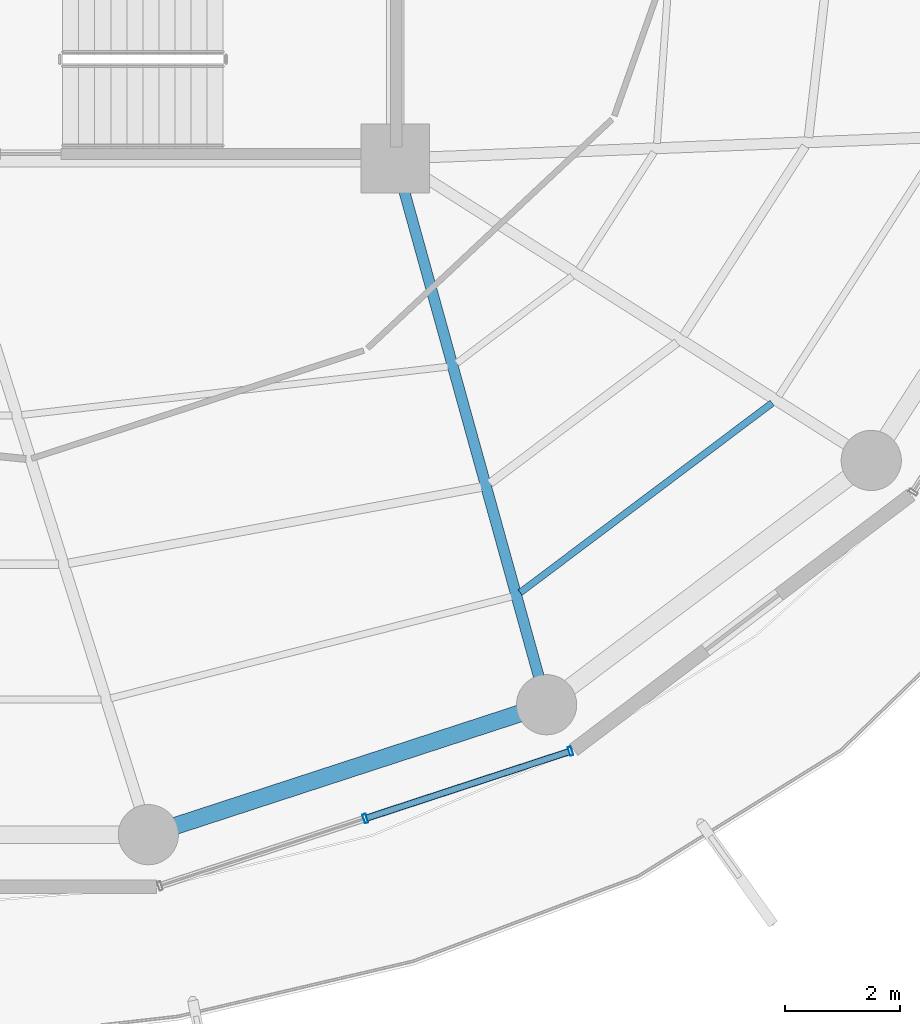
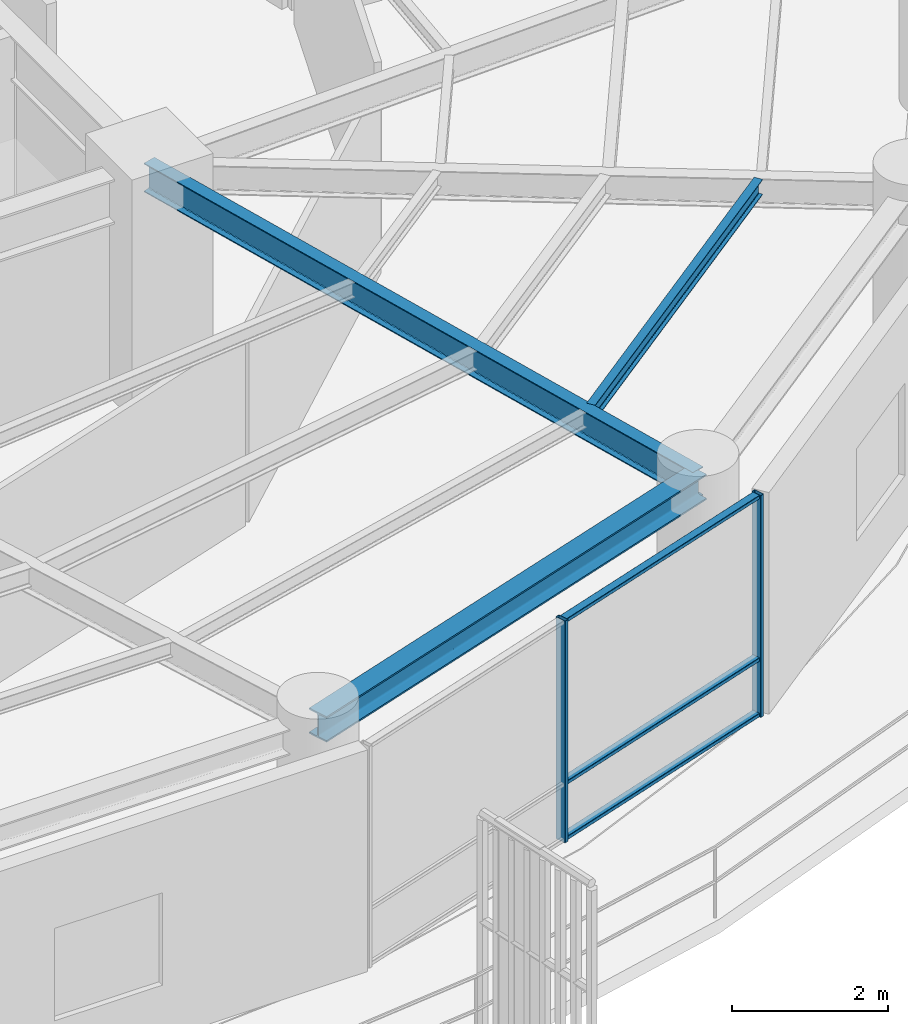
# One storey, part 10 of 31: 5 members, 3 beams, 1 element without a shape of its own.
"""IFC4 building model written with IfcOpenShell, lengths in metres."""

from ifc_helpers import new_model, si_unit, direction, frame, origin, origin_2d, place, context, subcontext, project, spatial, hollow_rectangle, i_section, extrude, material, layer, layer_set, material_profile, profile_set, type_object, element, aggregate, save


model = new_model("IFC4")

# Units and contexts
model_context = context("Model", 3, precision=1e-05, world=origin(), true_north=direction((0.0, 1.0)))
body_context = subcontext(model_context, "Body", "Model", "MODEL_VIEW")
ifc_project = project(units=[si_unit("LENGTHUNIT", "METRE"), si_unit("AREAUNIT", "SQUARE_METRE"), si_unit("VOLUMEUNIT", "CUBIC_METRE"), si_unit("PLANEANGLEUNIT", "RADIAN"), si_unit("MASSUNIT", "GRAM", prefix="KILO")], contexts=[model_context])

# Site, building, storey
site_placement = place(None, origin())
site = spatial("IfcSite", under=ifc_project, at=site_placement, CompositionType="ELEMENT")
building_placement = place(site_placement, origin())
building = spatial("IfcBuilding", under=site, at=building_placement, Name="Kelanora Arch Commons", CompositionType="ELEMENT")
storey_placement = place(building_placement, frame((0.0, 0.0, 193.199951171875)))
storey = spatial("IfcBuildingStorey", under=building, at=storey_placement, Name="L49", CompositionType="ELEMENT", Elevation=193.199951171875)

# Beams
ifc_material_1 = material(Name="Steel S355", Category="steel")
ifc_material_profile_1 = material_profile(ifc_material_1, i_section(OverallWidth=0.1201171875, OverallDepth=0.239990234375, WebThickness=0.006103515625, FlangeThickness=0.009765625, FilletRadius=0.014892578125, at=origin_2d()), Name="IPE240")
ifc_profile_set_1 = profile_set([ifc_material_profile_1], Name="Steel S355")
beam_type_1 = type_object("IfcBeamType", Name="BM-JST-02", PredefinedType="JOIST", material=ifc_profile_set_1)
beam_1_placement = place(storey_placement, frame((84.179931640625, 43.43212890625, 3.3701171875), z_axis=(0.799109197935, 0.601185902842, 0.0), x_axis=(-0.601185902842, 0.799109197935, 0.0)))
element("IfcBeam", 1, at=beam_1_placement, inside=storey, type_object=beam_type_1, Name="Secondary Chord Joist BJC-30 L49", PredefinedType="JOIST", context=body_context, shape_type="SweptSolid", body=[
    extrude(i_section(OverallWidth=0.1201171875, OverallDepth=0.239990234375, WebThickness=0.006103515625, FlangeThickness=0.009765625, FilletRadius=0.014892578125, at=origin_2d()), origin(), (0.0, 0.0, 1.0), 5.497802734375),
])
ifc_material_profile_2 = material_profile(ifc_material_1, i_section(OverallWidth=0.18994140625, OverallDepth=0.449951171875, WebThickness=0.009521484375, FlangeThickness=0.0146484375, FilletRadius=0.02099609375, at=origin_2d()), Name="IPE450")
ifc_profile_set_2 = profile_set([ifc_material_profile_2], Name="Steel S355")
beam_type_2 = type_object("IfcBeamType", Name="BM-RAD-Z4", PredefinedType="BEAM", material=ifc_profile_set_2)
beam_2_placement = place(storey_placement, frame((82.0, 51.0, 3.26513671875), z_axis=(0.267120164296, -0.963663228429, 0.0), x_axis=(0.963663228429, 0.267120164296, 0.0)))
element("IfcBeam", 2, at=beam_2_placement, inside=storey, type_object=beam_type_2, Name="Radial Floor Girder BR-30 L49", PredefinedType="BEAM", context=body_context, shape_type="SweptSolid", body=[
    extrude(i_section(OverallWidth=0.18994140625, OverallDepth=0.449951171875, WebThickness=0.009521484375, FlangeThickness=0.0146484375, FilletRadius=0.02099609375, at=origin_2d()), origin(), (0.0, 0.0, 1.0), 9.8828125),
])
ifc_material_profile_3 = material_profile(ifc_material_1, i_section(OverallWidth=0.300048828125, OverallDepth=0.39990234375, WebThickness=0.013427734375, FlangeThickness=0.02392578125, FilletRadius=0.027099609375, at=origin_2d()), Name="HEB400")
ifc_profile_set_3 = profile_set([ifc_material_profile_3], Name="Steel S355")
beam_type_3 = type_object("IfcBeamType", Name="BM-SPN-Z4", PredefinedType="SPANDREL", material=ifc_profile_set_3)
beam_3_placement = place(storey_placement, frame((77.6953125, 39.2099609375, 3.2900390625), z_axis=(0.950656361143, 0.310245842872, 0.0), x_axis=(-0.310245842872, 0.950656361143, 0.0)))
element("IfcBeam", 3, at=beam_3_placement, inside=storey, type_object=beam_type_3, Name="Perimeter Spandrel Beam BS-28 L49", PredefinedType="SPANDREL", context=body_context, shape_type="SweptSolid", body=[
    extrude(i_section(OverallWidth=0.300048828125, OverallDepth=0.39990234375, WebThickness=0.013427734375, FlangeThickness=0.02392578125, FilletRadius=0.027099609375, at=origin_2d()), origin(), (0.0, 0.0, 1.0), 7.304931640625),
])

# Curtain wall, members
ifc_material_2 = material(Name="Terracotta ceramic-fritted low-E glass and aluminium", Category="masonry")
ifc_layer = layer(ifc_material_2, 0.175048828125)
ifc_layer_set = layer_set([ifc_layer], Name="Terracotta ceramic-fritted low-E glass and aluminium")
curtain_wall_type = type_object("IfcCurtainWallType", Name="CW-SYS-02", PredefinedType="NOTDEFINED", material=ifc_layer_set)
curtain_wall_placement = place(storey_placement, origin())
curtain_wall = element("IfcCurtainWall", 4, at=curtain_wall_placement, inside=storey, type_object=curtain_wall_type, Name="Unitised Curtain Wall L49-B14", PredefinedType="NOTDEFINED")
ifc_material_3 = material(Name="Powder-coated aluminium terracotta", Category="masonry")
ifc_material_profile_4 = material_profile(ifc_material_3, hollow_rectangle(XDim=0.159912109375, YDim=0.06005859375, WallThickness=0.0048828125, InnerFilletRadius=0.0048828125, OuterFilletRadius=0.010009765625, at=origin_2d()), Name="CWM160x60")
ifc_profile_set_4 = profile_set([ifc_material_profile_4], Name="Powder-coated aluminium terracotta")
member_type_1 = type_object("IfcMemberType", Name="CWM-STD", PredefinedType="MULLION", material=ifc_profile_set_4)
member_1_placement = place(storey_placement, frame((81.4775390625, 39.49169921875, 0.0), z_axis=(0.0, 0.0, 1.0), x_axis=(-0.311582439059, 0.950219124029, 0.0)))
member_1 = element("IfcMember", 5, at=member_1_placement, type_object=member_type_1, Name="CW-02 mullion 2", PredefinedType="MULLION", context=body_context, shape_type="SweptSolid", body=[
    extrude(hollow_rectangle(XDim=0.159912109375, YDim=0.06005859375, WallThickness=0.0048828125, InnerFilletRadius=0.0048828125, OuterFilletRadius=0.010009765625, at=origin_2d()), origin(), (0.0, 0.0, 1.0), 3.47509765625),
])
member_2_placement = place(storey_placement, frame((85.05712890625, 40.66552734375, 0.0), z_axis=(0.0, 0.0, 1.0), x_axis=(-0.311582439059, 0.950219124029, 0.0)))
member_2 = element("IfcMember", 6, at=member_2_placement, type_object=member_type_1, Name="CW-02 mullion 3", PredefinedType="MULLION", context=body_context, shape_type="SweptSolid", body=[
    extrude(hollow_rectangle(XDim=0.159912109375, YDim=0.06005859375, WallThickness=0.0048828125, InnerFilletRadius=0.0048828125, OuterFilletRadius=0.010009765625, at=origin_2d()), origin(), (0.0, 0.0, 1.0), 3.47509765625),
])
ifc_material_profile_5 = material_profile(ifc_material_3, hollow_rectangle(XDim=0.1201171875, YDim=0.06005859375, WallThickness=0.0048828125, InnerFilletRadius=0.0048828125, OuterFilletRadius=0.010009765625, at=origin_2d()), Name="CWT120x60")
ifc_profile_set_5 = profile_set([ifc_material_profile_5], Name="Powder-coated aluminium terracotta")
member_type_2 = type_object("IfcMemberType", Name="CWT-STD", PredefinedType="USERDEFINED", material=ifc_profile_set_5)
member_3_placement = place(storey_placement, frame((81.506103515625, 39.5009765625, 0.030029296875), z_axis=(0.950226025222, 0.311561392011, 0.0), x_axis=(-0.311561392011, 0.950226025222, 0.0)))
member_3 = element("IfcMember", 7, at=member_3_placement, type_object=member_type_2, Name="CW-02 transom 2.1", ObjectType="TRANSOM", PredefinedType="USERDEFINED", context=body_context, shape_type="SweptSolid", body=[
    extrude(hollow_rectangle(XDim=0.1201171875, YDim=0.06005859375, WallThickness=0.0048828125, InnerFilletRadius=0.0048828125, OuterFilletRadius=0.010009765625, at=origin_2d()), origin(), (0.0, 0.0, 1.0), 3.707275390625),
])
member_4_placement = place(storey_placement, frame((81.506103515625, 39.5009765625, 0.900146484375), z_axis=(0.950226025222, 0.311561392011, 0.0), x_axis=(-0.311561392011, 0.950226025222, 0.0)))
member_4 = element("IfcMember", 8, at=member_4_placement, type_object=member_type_2, Name="CW-02 transom 2.2", ObjectType="TRANSOM", PredefinedType="USERDEFINED", context=body_context, shape_type="SweptSolid", body=[
    extrude(hollow_rectangle(XDim=0.1201171875, YDim=0.06005859375, WallThickness=0.0048828125, InnerFilletRadius=0.0048828125, OuterFilletRadius=0.010009765625, at=origin_2d()), origin(), (0.0, 0.0, 1.0), 3.707275390625),
])
member_5_placement = place(storey_placement, frame((81.506103515625, 39.5009765625, 3.445068359375), z_axis=(0.950226025222, 0.311561392011, 0.0), x_axis=(-0.311561392011, 0.950226025222, 0.0)))
member_5 = element("IfcMember", 9, at=member_5_placement, type_object=member_type_2, Name="CW-02 transom 2.3", ObjectType="TRANSOM", PredefinedType="USERDEFINED", context=body_context, shape_type="SweptSolid", body=[
    extrude(hollow_rectangle(XDim=0.1201171875, YDim=0.06005859375, WallThickness=0.0048828125, InnerFilletRadius=0.0048828125, OuterFilletRadius=0.010009765625, at=origin_2d()), origin(), (0.0, 0.0, 1.0), 3.707275390625),
])
aggregate(curtain_wall, [member_1, member_2, member_3, member_4, member_5])

save(model, "model.ifc")
